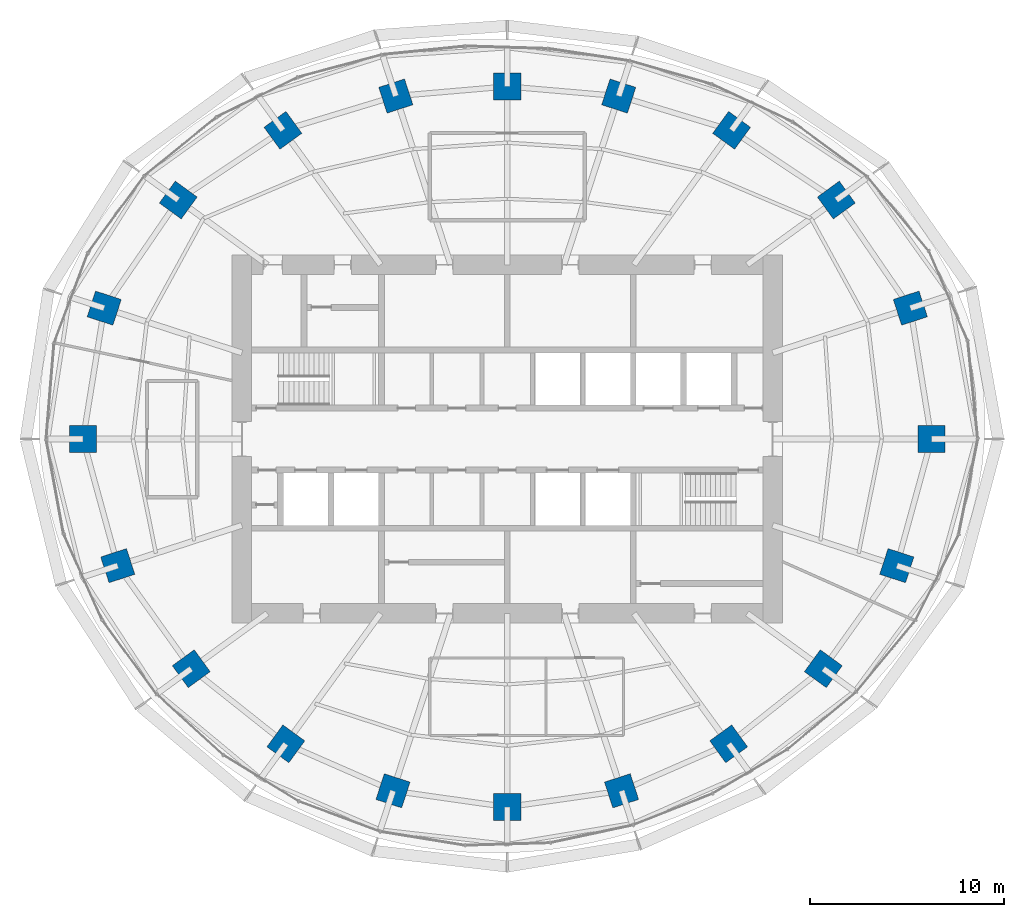
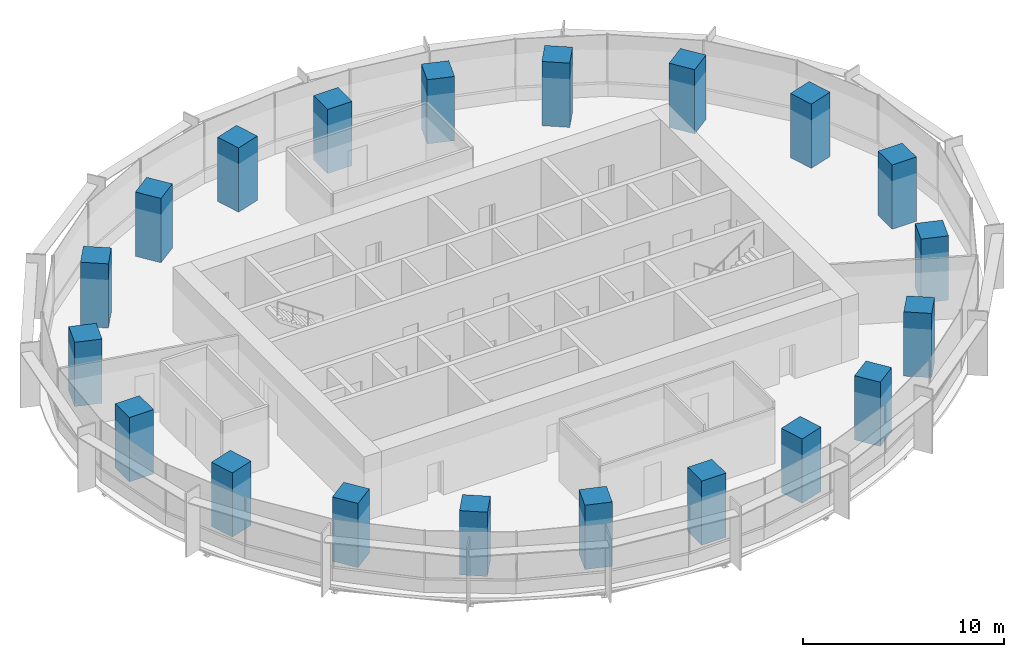
# One storey, part 1 of 14: 20 columns.
"""IFC4 building model written with IfcOpenShell, lengths in metres."""

import ifcopenshell
import ifcopenshell.guid

model = None  # the IFC model being written
_history = None  # IfcOwnerHistory: only IFC2X3 demands one
_inside = {}  # id of a spatial element -> (the spatial element, [elements in it])
_under = {}  # id of a project, library or spatial element -> (it, [spatial elements below it])
_declared = {}  # id of a project -> (the project, [libraries it declares])
_typed = {}  # id of a type object -> (the type object, [elements of that type])
_made_of = {}  # id of a material, layer set ... -> (it, [elements and type objects made of it])


def new_model(schema):
    """Start an empty IFC model of exactly this schema.

    Asked for "IFC4X3", IfcOpenShell would pick the latest addendum, in which some entities
    have other attributes; the version numbers below select the first issue.
    IFC2X3 requires an IfcOwnerHistory on every rooted entity: one is made here for all.
    """
    global model, _history
    if schema == "IFC4X3":
        model = ifcopenshell.file(schema_version=(4, 3, 0, 0))
    else:
        model = ifcopenshell.file(schema=schema)
    _inside.clear()
    _under.clear()
    _declared.clear()
    _typed.clear()
    _made_of.clear()
    _history = None
    if model.schema == "IFC2X3":
        org = make("IfcOrganization", Name="unknown")
        user = make(
            "IfcPersonAndOrganization",
            ThePerson=make("IfcPerson", FamilyName="unknown"),
            TheOrganization=org,
        )
        app = make(
            "IfcApplication",
            ApplicationDeveloper=org,
            Version="unknown",
            ApplicationFullName="unknown",
            ApplicationIdentifier="unknown",
        )
        _history = make(
            "IfcOwnerHistory",
            OwningUser=user,
            OwningApplication=app,
            ChangeAction="ADDED",
            CreationDate=0,
        )
    return model


def make(cls, **values):
    """One entity of the class cls with the attributes given. An attribute that is None is left unset."""
    return model.create_entity(
        cls, **{name: value for name, value in values.items() if value is not None}
    )


def rooted(cls, **values):
    """An entity with a GlobalId (a new one), such as an element, a storey or a relation."""
    return make(cls, GlobalId=ifcopenshell.guid.new(), OwnerHistory=_history, **values)


def si_unit(unit_type, name, prefix=None):
    """IfcSIUnit, for example si_unit("LENGTHUNIT", "METRE", prefix="MILLI")."""
    return make("IfcSIUnit", UnitType=unit_type, Prefix=prefix, Name=name)


def assignment(units):
    """IfcUnitAssignment: the units of a project."""
    return None if units is None else make("IfcUnitAssignment", Units=units)


def point(xyz):
    """IfcCartesianPoint."""
    return None if xyz is None else make("IfcCartesianPoint", Coordinates=xyz)


def direction(xyz):
    """IfcDirection."""
    return None if xyz is None else make("IfcDirection", DirectionRatios=xyz)


def frame(location, z_axis=None, x_axis=None):
    """IfcAxis2Placement3D, a coordinate frame: its origin and axes. An axis left out is left unset."""
    return make(
        "IfcAxis2Placement3D",
        Location=point(location),
        Axis=direction(z_axis),
        RefDirection=direction(x_axis),
    )


def frame_2d(location, x_axis=None):
    """IfcAxis2Placement2D, a coordinate frame in the plane: its origin and x axis."""
    return make(
        "IfcAxis2Placement2D", Location=point(location), RefDirection=direction(x_axis)
    )


def origin():
    """The frame at (0, 0, 0) with its axes left unset."""
    return frame((0.0, 0.0, 0.0))


def origin_2d():
    """The frame at (0, 0) in the plane with its x axis left unset."""
    return frame_2d((0.0, 0.0))


def place(relative_to, where):
    """IfcLocalPlacement: puts the frame where relative to a parent placement (None: the world)."""
    return make(
        "IfcLocalPlacement", PlacementRelTo=relative_to, RelativePlacement=where
    )


def context(
    kind, dimensions, precision=None, world=None, true_north=None, identifier=None
):
    """IfcGeometricRepresentationContext, for example the 3D "Model" context."""
    return make(
        "IfcGeometricRepresentationContext",
        ContextIdentifier=identifier,
        ContextType=kind,
        CoordinateSpaceDimension=dimensions,
        Precision=precision,
        WorldCoordinateSystem=world,
        TrueNorth=true_north,
    )


def subcontext(parent, identifier, kind, view, scale=None):
    """IfcGeometricRepresentationSubContext, for example "Body" below "Model"."""
    return make(
        "IfcGeometricRepresentationSubContext",
        ContextIdentifier=identifier,
        ContextType=kind,
        ParentContext=parent,
        TargetScale=scale,
        TargetView=view,
    )


def project(units=None, contexts=None):
    """IfcProject with its units and contexts."""
    return rooted(
        "IfcProject",
        Name="project",
        RepresentationContexts=contexts,
        UnitsInContext=assignment(units),
    )


def spatial(cls, under=None, at=None, **own):
    """A site, building, storey or space (cls), placed at a placement, below another one or the project."""
    s = rooted(cls, ObjectPlacement=at, **own)
    if under is not None:
        _under.setdefault(under.id(), (under, []))[1].append(s)
    return s


def profile(cls, at=None, kind="AREA", **sizes):
    """A parametric profile (cls). Its sizes go by their IFC names, for example OverallWidth=200.0."""
    return make(cls, ProfileType=kind, Position=at, **sizes)


def rectangle(**sizes):
    """IfcRectangleProfileDef."""
    return profile("IfcRectangleProfileDef", **sizes)


def extrude(swept, where, along, depth):
    """IfcExtrudedAreaSolid: the profile swept, set in the frame where, extruded along a direction by depth."""
    return make(
        "IfcExtrudedAreaSolid",
        SweptArea=swept,
        Position=where,
        ExtrudedDirection=direction(along),
        Depth=depth,
    )


def shape(context_of_items, identifier, shape_type, items):
    """IfcShapeRepresentation: the items that make up one representation, for example the "Body"."""
    return make(
        "IfcShapeRepresentation",
        ContextOfItems=context_of_items,
        RepresentationIdentifier=identifier,
        RepresentationType=shape_type,
        Items=items,
    )


def material(Name=None, Category=None):
    """IfcMaterial."""
    return make("IfcMaterial", Name=Name, Category=Category)


def material_profile(
    of_material, cross_section, Name=None, Category=None, Priority=None
):
    """IfcMaterialProfile: a cross section and its material."""
    return make(
        "IfcMaterialProfile",
        Name=Name,
        Material=of_material,
        Profile=cross_section,
        Priority=Priority,
        Category=Category,
    )


def profile_set(profiles, Name=None, composite=None):
    """IfcMaterialProfileSet."""
    return make(
        "IfcMaterialProfileSet",
        Name=Name,
        MaterialProfiles=profiles,
        CompositeProfile=composite,
    )


def made_of(thing, what):
    """Note that an element or type object is made of a material, layer set ...; save() writes the relation."""
    if what is not None:
        _made_of.setdefault(what.id(), (what, []))[1].append(thing)
    return thing


def type_object(cls, material=None, **own):
    """A type object (cls), such as IfcWallType, which elements share."""
    return made_of(rooted(cls, **own), material)


def element(
    cls,
    number,
    at=None,
    inside=None,
    cuts=None,
    type_object=None,
    material=None,
    context=None,
    identifier="Body",
    shape_type=None,
    held_by="IfcProductDefinitionShape",
    body=None,
    shapes=None,
    **own,
):
    """One element of the class cls, such as IfcWall. Its Tag is "e" and its number.

    at: its placement. inside: the storey or other place that contains it. cuts: it is an
    opening in that element (IfcRelVoidsElement). A single representation is given by context,
    identifier, shape_type and body (its items); several are given by shapes. held_by: the class
    of the entity that holds the representations. save() writes the other relations.
    """
    e = rooted(cls, Tag="e%d" % number, ObjectPlacement=at, **own)
    if body is not None:
        shapes = [shape(context, identifier, shape_type, body)]
    if shapes is not None:
        e.Representation = make(held_by, Representations=shapes)
    if inside is not None:
        _inside.setdefault(inside.id(), (inside, []))[1].append(e)
    if cuts is not None:
        rooted(
            "IfcRelVoidsElement", RelatingBuildingElement=cuts, RelatedOpeningElement=e
        )
    if type_object is not None:
        _typed.setdefault(type_object.id(), (type_object, []))[1].append(e)
    return made_of(e, material)


def aggregate(whole, parts):
    """IfcRelAggregates: a whole, such as a stair, and the parts it consists of."""
    return rooted("IfcRelAggregates", RelatingObject=whole, RelatedObjects=parts)


def save(model, path):
    """Write the relations noted so far, then the file.

    IfcRelAggregates (storeys below a building ...), IfcRelContainedInSpatialStructure (elements
    in a storey), IfcRelDefinesByType, IfcRelAssociatesMaterial and IfcRelDeclares: one each for
    every whole, place, type object, material and project.
    """
    for whole, parts in _under.values():
        aggregate(whole, parts)
    for where, things in _inside.values():
        rooted(
            "IfcRelContainedInSpatialStructure",
            RelatedElements=things,
            RelatingStructure=where,
        )
    for kind, things in _typed.values():
        rooted("IfcRelDefinesByType", RelatedObjects=things, RelatingType=kind)
    for what, things in _made_of.values():
        rooted("IfcRelAssociatesMaterial", RelatedObjects=things, RelatingMaterial=what)
    for by, libraries in _declared.values():
        rooted("IfcRelDeclares", RelatingContext=by, RelatedDefinitions=libraries)
    model.write(path)


model = new_model("IFC4")

# Units and contexts
model_context = context("Model", 3, precision=1e-05, world=origin(), true_north=direction((0.0, 1.0)))
body_context = subcontext(model_context, "Body", "Model", "MODEL_VIEW")
ifc_project = project(units=[si_unit("LENGTHUNIT", "METRE"), si_unit("AREAUNIT", "SQUARE_METRE"), si_unit("VOLUMEUNIT", "CUBIC_METRE"), si_unit("PLANEANGLEUNIT", "RADIAN"), si_unit("MASSUNIT", "GRAM", prefix="KILO")], contexts=[model_context])

# Site, building, storey
site_placement = place(None, origin())
site = spatial("IfcSite", under=ifc_project, at=site_placement, CompositionType="ELEMENT")
building_placement = place(site_placement, origin())
building = spatial("IfcBuilding", under=site, at=building_placement, Name="Marramba Exchange Tower", CompositionType="ELEMENT")
storey_placement = place(building_placement, frame((0.0, 0.0, 222.800048828125)))
storey = spatial("IfcBuildingStorey", under=building, at=storey_placement, Name="L54", CompositionType="ELEMENT", Elevation=222.800048828125)

# Columns
ifc_material = material(Name="Concrete N50", Category="concrete")
ifc_material_profile = material_profile(ifc_material, rectangle(XDim=1.39990234375, YDim=1.39990234375, at=origin_2d()), Name="RC 1400x1400")
ifc_profile_set = profile_set([ifc_material_profile], Name="Concrete N50")
column_type = type_object("IfcColumnType", Name="Perimeter column RC 1400x1400 N50", PredefinedType="COLUMN", material=ifc_profile_set)
for number, where, z_axis, x_axis, name in (
    (1, (21.89990234375, 0.0, 0.0), (0.0, 0.0, 1.0), (1.0, 0.0, 0.0), "Column TC01 L54"),
    (2, (20.808349609375, 6.760986328125, 0.0), (0.0, 0.0, 1.0), (0.951056516295, 0.309016994375, 0.0), "Column TC02 L54"),
    (3, (16.98583984375, 12.3408203125, 0.0), (0.0, 0.0, 1.0), (0.809016994375, 0.587785252292, 0.0), "Column TC03 L54"),
    (4, (11.581298828125, 15.9404296875, 0.0), (0.0, 0.0, 1.0), (0.587785252292, 0.809016994375, 0.0), "Column TC04 L54"),
    (5, (5.75390625, 17.70849609375, 0.0), (0.0, 0.0, 1.0), (0.309016994375, 0.951056516295, 0.0), "Column TC05 L54"),
    (6, (0.0, 18.2041015625, 0.0), (0.0, 0.0, 1.0), (0.0, 1.0, 0.0), "Column TC06 L54"),
    (7, (-5.75390625, 17.70849609375, 0.0), (0.0, 0.0, 1.0), (-0.309016994375, 0.951056516295, 0.0), "Column TC07 L54"),
    (8, (-11.581298828125, 15.9404296875, 0.0), (0.0, 0.0, 1.0), (-0.587785252292, 0.809016994375, 0.0), "Column TC08 L54"),
    (9, (-16.98583984375, 12.3408203125, 0.0), (0.0, 0.0, 1.0), (-0.809016994375, 0.587785252292, 0.0), "Column TC09 L54"),
    (10, (-20.808349609375, 6.760986328125, 0.0), (0.0, 0.0, 1.0), (-0.951056516295, 0.309016994375, 0.0), "Column TC10 L54"),
    (11, (-21.89990234375, 0.0, 0.0), (0.0, 0.0, 1.0), (-1.0, 0.0, 0.0), "Column TC11 L54"),
    (12, (-20.109375, -6.533935546875, 0.0), (0.0, 0.0, 1.0), (-0.951056516295, -0.309016994375, 0.0), "Column TC12 L54"),
    (13, (-16.3154296875, -11.853759765625, 0.0), (0.0, 0.0, 1.0), (-0.809016994375, -0.587785252292, 0.0), "Column TC13 L54"),
    (14, (-11.430419921875, -15.732666015625, 0.0), (0.0, 0.0, 1.0), (-0.587785252292, -0.809016994375, 0.0), "Column TC14 L54"),
    (15, (-5.899658203125, -18.156982421875, 0.0), (0.0, 0.0, 1.0), (-0.309016994375, -0.951056516295, 0.0), "Column TC15 L54"),
    (16, (0.0, -18.99609375, 0.0), (0.0, 0.0, 1.0), (0.0, -1.0, 0.0), "Column TC16 L54"),
    (17, (5.899658203125, -18.156982421875, 0.0), (0.0, 0.0, 1.0), (0.309016994375, -0.951056516295, 0.0), "Column TC17 L54"),
    (18, (11.430419921875, -15.732666015625, 0.0), (0.0, 0.0, 1.0), (0.587785252292, -0.809016994375, 0.0), "Column TC18 L54"),
    (19, (16.3154296875, -11.853759765625, 0.0), (0.0, 0.0, 1.0), (0.809016994375, -0.587785252292, 0.0), "Column TC19 L54"),
    (20, (20.109375, -6.533935546875, 0.0), (0.0, 0.0, 1.0), (0.951056516295, -0.309016994375, 0.0), "Column TC20 L54"),
):
    element("IfcColumn", number, at=place(storey_placement, frame(where, z_axis=z_axis, x_axis=x_axis)), inside=storey, type_object=column_type, Name=name, PredefinedType="COLUMN", context=body_context, shape_type="SweptSolid", body=[
        extrude(rectangle(XDim=1.39990234375, YDim=1.39990234375, at=origin_2d()), origin(), (0.0, 0.0, 1.0), 3.89990234375),
    ])

save(model, "model.ifc")
